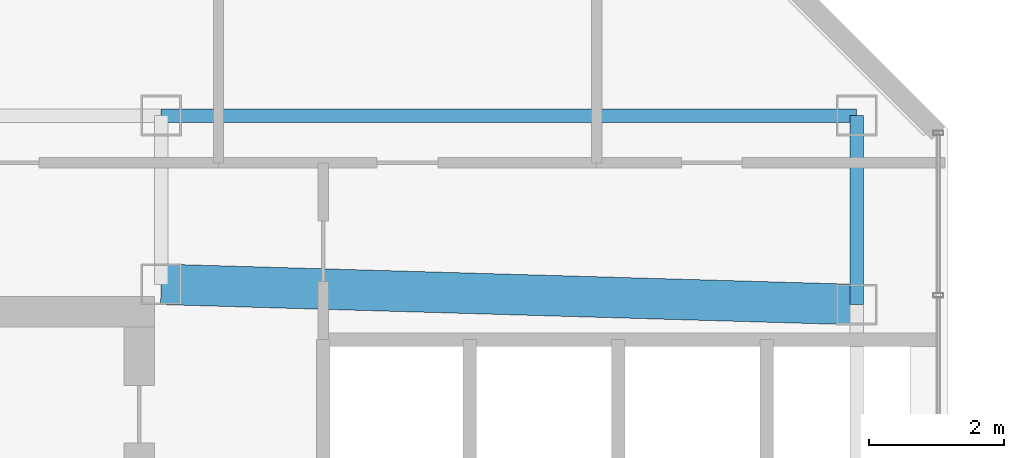
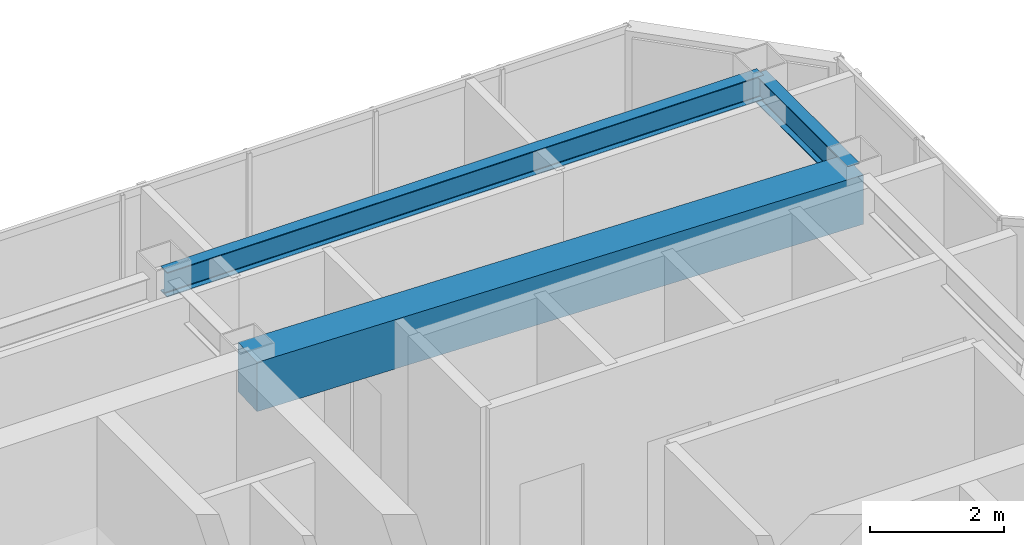
# One storey, part 18 of 29: 3 beams.
"""IFC4 building model written with IfcOpenShell, lengths in metres."""

from ifc_helpers import new_model, si_unit, direction, frame, origin, origin_2d, place, context, subcontext, project, spatial, rectangle, i_section, extrude, material, material_profile, profile_set, type_object, element, save


model = new_model("IFC4")

# Units and contexts
model_context = context("Model", 3, precision=1e-05, world=origin(), true_north=direction((0.0, 1.0)))
body_context = subcontext(model_context, "Body", "Model", "MODEL_VIEW")
ifc_project = project(units=[si_unit("LENGTHUNIT", "METRE"), si_unit("AREAUNIT", "SQUARE_METRE"), si_unit("VOLUMEUNIT", "CUBIC_METRE"), si_unit("PLANEANGLEUNIT", "RADIAN"), si_unit("MASSUNIT", "GRAM", prefix="KILO")], contexts=[model_context])

# Site, building, storey
site_placement = place(None, origin())
site = spatial("IfcSite", under=ifc_project, at=site_placement, CompositionType="ELEMENT")
building_placement = place(site_placement, origin())
building = spatial("IfcBuilding", under=site, at=building_placement, Name="Hatsunagi Terrace Concourse", CompositionType="ELEMENT")
storey_placement = place(building_placement, frame((0.0, 0.0, 277.949951171875)))
storey = spatial("IfcBuildingStorey", under=building, at=storey_placement, Name="L73", CompositionType="ELEMENT", Elevation=277.949951171875)

# Beams
ifc_material_1 = material(Name="Concrete Fc42", Category="concrete")
ifc_material_profile_1 = material_profile(ifc_material_1, rectangle(XDim=0.60009765625, YDim=0.89990234375, at=origin_2d()), Name="RC-600x900")
ifc_profile_set_1 = profile_set([ifc_material_profile_1], Name="Concrete Fc42")
beam_type_1 = type_object("IfcBeamType", Name="CoreCouplingBeam_RC_600x900", PredefinedType="BEAM", material=ifc_profile_set_1)
beam_1_placement = place(storey_placement, frame((33.35009765625, 43.300048828125, 3.300048828125), z_axis=(0.999575947545, -0.029119153303, 0.0), x_axis=(0.029119153303, 0.999575947545, 0.0)))
element("IfcBeam", 1, at=beam_1_placement, inside=storey, type_object=beam_type_1, Name="Beam CB-03 CB-L73-2", PredefinedType="BEAM", context=body_context, shape_type="SweptSolid", body=[
    extrude(rectangle(XDim=0.60009765625, YDim=0.89990234375, at=origin_2d()), origin(), (0.0, 0.0, 1.0), 10.30419921875),
])
ifc_material_2 = material(Name="Steel SN490B", Category="steel")
ifc_material_profile_2 = material_profile(ifc_material_2, i_section(OverallWidth=0.199951171875, OverallDepth=0.5, WebThickness=0.010009765625, FlangeThickness=0.01611328125, FilletRadius=0.01611328125, at=origin_2d()), Name="H-500x200x10x16")
ifc_profile_set_2 = profile_set([ifc_material_profile_2], Name="Steel SN490B")
beam_type_2 = type_object("IfcBeamType", Name="CrownFloorGirder_H_500x200", PredefinedType="BEAM", material=ifc_profile_set_2)
beam_2_placement = place(storey_placement, frame((43.64990234375, 43.0, 3.5), z_axis=(0.0, 1.0, 0.0), x_axis=(-1.0, 0.0, 0.0)))
element("IfcBeam", 2, at=beam_2_placement, inside=storey, type_object=beam_type_2, Name="Beam G-07 BM-L73-CN3", PredefinedType="BEAM", context=body_context, shape_type="SweptSolid", body=[
    extrude(i_section(OverallWidth=0.199951171875, OverallDepth=0.5, WebThickness=0.010009765625, FlangeThickness=0.01611328125, FilletRadius=0.01611328125, at=origin_2d()), origin(), (0.0, 0.0, 1.0), 2.800048828125),
])
ifc_material_3 = material(Name="Steel SN490B", Category="steel")
ifc_material_profile_3 = material_profile(ifc_material_3, i_section(OverallWidth=0.199951171875, OverallDepth=0.449951171875, WebThickness=0.009033203125, FlangeThickness=0.013916015625, FilletRadius=0.01611328125, at=origin_2d()), Name="H-450x200x9x14")
ifc_profile_set_3 = profile_set([ifc_material_profile_3], Name="Steel SN490B")
beam_type_3 = type_object("IfcBeamType", Name="PerimeterSpandrel_H_450x200", PredefinedType="SPANDREL", material=ifc_profile_set_3)
beam_3_placement = place(storey_placement, frame((33.35009765625, 45.800048828125, 3.525146484375), z_axis=(1.0, 0.0, 0.0), x_axis=(0.0, 1.0, 0.0)))
element("IfcBeam", 3, at=beam_3_placement, inside=storey, type_object=beam_type_3, Name="Beam SP-02 BM-L73-CNEW2", PredefinedType="SPANDREL", context=body_context, shape_type="SweptSolid", body=[
    extrude(i_section(OverallWidth=0.199951171875, OverallDepth=0.449951171875, WebThickness=0.009033203125, FlangeThickness=0.013916015625, FilletRadius=0.01611328125, at=origin_2d()), origin(), (0.0, 0.0, 1.0), 10.2998046875),
])

save(model, "model.ifc")
